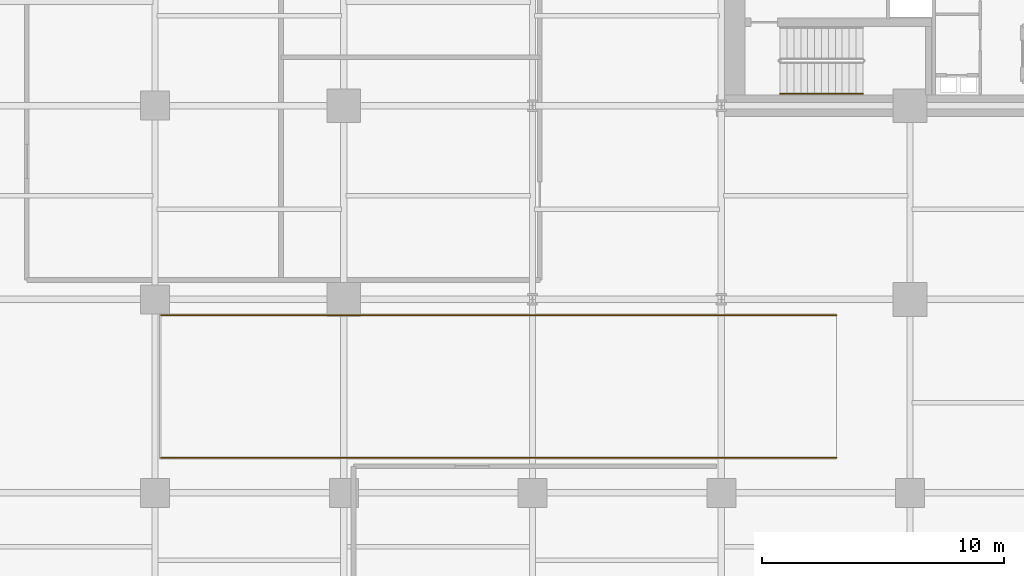
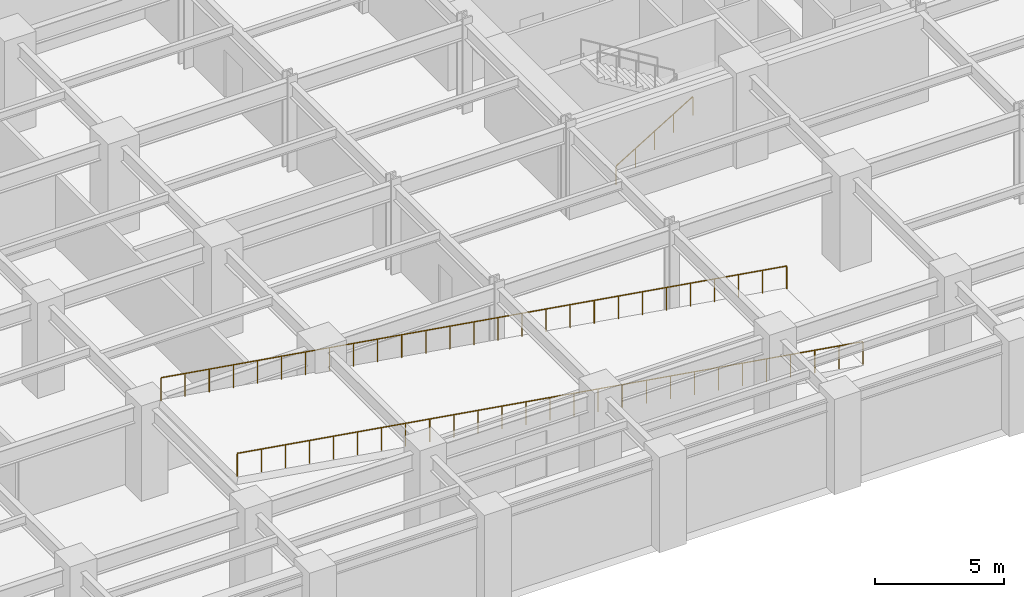
# One storey, part 8 of 10: 3 railings.
"""IFC4 building model written with IfcOpenShell, lengths in metres."""

import ifcopenshell
import ifcopenshell.guid

model = None  # the IFC model being written
_history = None  # IfcOwnerHistory: only IFC2X3 demands one
_inside = {}  # id of a spatial element -> (the spatial element, [elements in it])
_under = {}  # id of a project, library or spatial element -> (it, [spatial elements below it])
_declared = {}  # id of a project -> (the project, [libraries it declares])
_typed = {}  # id of a type object -> (the type object, [elements of that type])
_made_of = {}  # id of a material, layer set ... -> (it, [elements and type objects made of it])


def new_model(schema):
    """Start an empty IFC model of exactly this schema.

    Asked for "IFC4X3", IfcOpenShell would pick the latest addendum, in which some entities
    have other attributes; the version numbers below select the first issue.
    IFC2X3 requires an IfcOwnerHistory on every rooted entity: one is made here for all.
    """
    global model, _history
    if schema == "IFC4X3":
        model = ifcopenshell.file(schema_version=(4, 3, 0, 0))
    else:
        model = ifcopenshell.file(schema=schema)
    _inside.clear()
    _under.clear()
    _declared.clear()
    _typed.clear()
    _made_of.clear()
    _history = None
    if model.schema == "IFC2X3":
        org = make("IfcOrganization", Name="unknown")
        user = make(
            "IfcPersonAndOrganization",
            ThePerson=make("IfcPerson", FamilyName="unknown"),
            TheOrganization=org,
        )
        app = make(
            "IfcApplication",
            ApplicationDeveloper=org,
            Version="unknown",
            ApplicationFullName="unknown",
            ApplicationIdentifier="unknown",
        )
        _history = make(
            "IfcOwnerHistory",
            OwningUser=user,
            OwningApplication=app,
            ChangeAction="ADDED",
            CreationDate=0,
        )
    return model


def make(cls, **values):
    """One entity of the class cls with the attributes given. An attribute that is None is left unset."""
    return model.create_entity(
        cls, **{name: value for name, value in values.items() if value is not None}
    )


def rooted(cls, **values):
    """An entity with a GlobalId (a new one), such as an element, a storey or a relation."""
    return make(cls, GlobalId=ifcopenshell.guid.new(), OwnerHistory=_history, **values)


def si_unit(unit_type, name, prefix=None):
    """IfcSIUnit, for example si_unit("LENGTHUNIT", "METRE", prefix="MILLI")."""
    return make("IfcSIUnit", UnitType=unit_type, Prefix=prefix, Name=name)


def assignment(units):
    """IfcUnitAssignment: the units of a project."""
    return None if units is None else make("IfcUnitAssignment", Units=units)


def point(xyz):
    """IfcCartesianPoint."""
    return None if xyz is None else make("IfcCartesianPoint", Coordinates=xyz)


def direction(xyz):
    """IfcDirection."""
    return None if xyz is None else make("IfcDirection", DirectionRatios=xyz)


def frame(location, z_axis=None, x_axis=None):
    """IfcAxis2Placement3D, a coordinate frame: its origin and axes. An axis left out is left unset."""
    return make(
        "IfcAxis2Placement3D",
        Location=point(location),
        Axis=direction(z_axis),
        RefDirection=direction(x_axis),
    )


def frame_2d(location, x_axis=None):
    """IfcAxis2Placement2D, a coordinate frame in the plane: its origin and x axis."""
    return make(
        "IfcAxis2Placement2D", Location=point(location), RefDirection=direction(x_axis)
    )


def origin():
    """The frame at (0, 0, 0) with its axes left unset."""
    return frame((0.0, 0.0, 0.0))


def origin_2d():
    """The frame at (0, 0) in the plane with its x axis left unset."""
    return frame_2d((0.0, 0.0))


def place(relative_to, where):
    """IfcLocalPlacement: puts the frame where relative to a parent placement (None: the world)."""
    return make(
        "IfcLocalPlacement", PlacementRelTo=relative_to, RelativePlacement=where
    )


def context(
    kind, dimensions, precision=None, world=None, true_north=None, identifier=None
):
    """IfcGeometricRepresentationContext, for example the 3D "Model" context."""
    return make(
        "IfcGeometricRepresentationContext",
        ContextIdentifier=identifier,
        ContextType=kind,
        CoordinateSpaceDimension=dimensions,
        Precision=precision,
        WorldCoordinateSystem=world,
        TrueNorth=true_north,
    )


def subcontext(parent, identifier, kind, view, scale=None):
    """IfcGeometricRepresentationSubContext, for example "Body" below "Model"."""
    return make(
        "IfcGeometricRepresentationSubContext",
        ContextIdentifier=identifier,
        ContextType=kind,
        ParentContext=parent,
        TargetScale=scale,
        TargetView=view,
    )


def project(units=None, contexts=None):
    """IfcProject with its units and contexts."""
    return rooted(
        "IfcProject",
        Name="project",
        RepresentationContexts=contexts,
        UnitsInContext=assignment(units),
    )


def spatial(cls, under=None, at=None, **own):
    """A site, building, storey or space (cls), placed at a placement, below another one or the project."""
    s = rooted(cls, ObjectPlacement=at, **own)
    if under is not None:
        _under.setdefault(under.id(), (under, []))[1].append(s)
    return s


def profile(cls, at=None, kind="AREA", **sizes):
    """A parametric profile (cls). Its sizes go by their IFC names, for example OverallWidth=200.0."""
    return make(cls, ProfileType=kind, Position=at, **sizes)


def circle(**sizes):
    """IfcCircleProfileDef."""
    return profile("IfcCircleProfileDef", **sizes)


def extrude(swept, where, along, depth):
    """IfcExtrudedAreaSolid: the profile swept, set in the frame where, extruded along a direction by depth."""
    return make(
        "IfcExtrudedAreaSolid",
        SweptArea=swept,
        Position=where,
        ExtrudedDirection=direction(along),
        Depth=depth,
    )


def shape(context_of_items, identifier, shape_type, items):
    """IfcShapeRepresentation: the items that make up one representation, for example the "Body"."""
    return make(
        "IfcShapeRepresentation",
        ContextOfItems=context_of_items,
        RepresentationIdentifier=identifier,
        RepresentationType=shape_type,
        Items=items,
    )


def material(Name=None, Category=None):
    """IfcMaterial."""
    return make("IfcMaterial", Name=Name, Category=Category)


def made_of(thing, what):
    """Note that an element or type object is made of a material, layer set ...; save() writes the relation."""
    if what is not None:
        _made_of.setdefault(what.id(), (what, []))[1].append(thing)
    return thing


def type_object(cls, material=None, **own):
    """A type object (cls), such as IfcWallType, which elements share."""
    return made_of(rooted(cls, **own), material)


def element(
    cls,
    number,
    at=None,
    inside=None,
    cuts=None,
    type_object=None,
    material=None,
    context=None,
    identifier="Body",
    shape_type=None,
    held_by="IfcProductDefinitionShape",
    body=None,
    shapes=None,
    **own,
):
    """One element of the class cls, such as IfcWall. Its Tag is "e" and its number.

    at: its placement. inside: the storey or other place that contains it. cuts: it is an
    opening in that element (IfcRelVoidsElement). A single representation is given by context,
    identifier, shape_type and body (its items); several are given by shapes. held_by: the class
    of the entity that holds the representations. save() writes the other relations.
    """
    e = rooted(cls, Tag="e%d" % number, ObjectPlacement=at, **own)
    if body is not None:
        shapes = [shape(context, identifier, shape_type, body)]
    if shapes is not None:
        e.Representation = make(held_by, Representations=shapes)
    if inside is not None:
        _inside.setdefault(inside.id(), (inside, []))[1].append(e)
    if cuts is not None:
        rooted(
            "IfcRelVoidsElement", RelatingBuildingElement=cuts, RelatedOpeningElement=e
        )
    if type_object is not None:
        _typed.setdefault(type_object.id(), (type_object, []))[1].append(e)
    return made_of(e, material)


def aggregate(whole, parts):
    """IfcRelAggregates: a whole, such as a stair, and the parts it consists of."""
    return rooted("IfcRelAggregates", RelatingObject=whole, RelatedObjects=parts)


def save(model, path):
    """Write the relations noted so far, then the file.

    IfcRelAggregates (storeys below a building ...), IfcRelContainedInSpatialStructure (elements
    in a storey), IfcRelDefinesByType, IfcRelAssociatesMaterial and IfcRelDeclares: one each for
    every whole, place, type object, material and project.
    """
    for whole, parts in _under.values():
        aggregate(whole, parts)
    for where, things in _inside.values():
        rooted(
            "IfcRelContainedInSpatialStructure",
            RelatedElements=things,
            RelatingStructure=where,
        )
    for kind, things in _typed.values():
        rooted("IfcRelDefinesByType", RelatedObjects=things, RelatingType=kind)
    for what, things in _made_of.values():
        rooted("IfcRelAssociatesMaterial", RelatedObjects=things, RelatingMaterial=what)
    for by, libraries in _declared.values():
        rooted("IfcRelDeclares", RelatingContext=by, RelatedDefinitions=libraries)
    model.write(path)


model = new_model("IFC4")

# Units and contexts
model_context = context("Model", 3, precision=1e-05, world=origin(), true_north=direction((0.0, 1.0)))
body_context = subcontext(model_context, "Body", "Model", "MODEL_VIEW")
ifc_project = project(units=[si_unit("LENGTHUNIT", "METRE"), si_unit("AREAUNIT", "SQUARE_METRE"), si_unit("VOLUMEUNIT", "CUBIC_METRE"), si_unit("PLANEANGLEUNIT", "RADIAN"), si_unit("MASSUNIT", "GRAM", prefix="KILO")], contexts=[model_context])

# Site, building, storey
site_placement = place(None, origin())
site = spatial("IfcSite", under=ifc_project, at=site_placement, CompositionType="ELEMENT")
building_placement = place(site_placement, origin())
building = spatial("IfcBuilding", under=site, at=building_placement, Name="Veymaron Broadcast Tower", CompositionType="ELEMENT")
storey_placement = place(building_placement, frame((0.0, 0.0, -4.5)))
storey = spatial("IfcBuildingStorey", under=building, at=storey_placement, Name="B1", CompositionType="ELEMENT", Elevation=-4.5)

# Railings
ifc_material_1 = material(Name="Brushed stainless steel AISI 304", Category="steel")
railing_type_1 = type_object("IfcRailingType", Name="RAIL-STAIR-HR", PredefinedType="HANDRAIL", material=ifc_material_1)
railing_1_placement = place(storey_placement, frame((41.429931640625, 16.5, 0.173095703125)))
element("IfcRailing", 1, at=railing_1_placement, inside=storey, type_object=railing_type_1, Name="B1 ST2 stair handrail 1", PredefinedType="HANDRAIL", context=body_context, shape_type="SweptSolid", body=[
    extrude(circle(Radius=0.02392578125, at=origin_2d()), frame((0.0, 0.0, 0.8759765625), z_axis=(0.854745945586, 0.0, 0.519046595696), x_axis=(0.0, 1.0, 0.0)), (0.0, 0.0, 1.0), 4.00146484375),
    extrude(circle(Radius=0.02099609375, at=origin_2d()), origin(), (0.0, 0.0, 1.0), 0.851806640625),
    extrude(circle(Radius=0.02099609375, at=origin_2d()), frame((0.85498046875, 0.0, 0.519287109375)), (0.0, 0.0, 1.0), 0.851806640625),
    extrude(circle(Radius=0.02099609375, at=origin_2d()), frame((1.7099609375, 0.0, 1.03857421875)), (0.0, 0.0, 1.0), 0.851806640625),
    extrude(circle(Radius=0.02099609375, at=origin_2d()), frame((2.565185546875, 0.0, 1.5576171875)), (0.0, 0.0, 1.0), 0.851806640625),
    extrude(circle(Radius=0.02099609375, at=origin_2d()), frame((3.420166015625, 0.0, 2.076904296875)), (0.0, 0.0, 1.0), 0.851806640625),
])
ifc_material_2 = material(Name="Painted galvanized steel balustrade", Category="steel")
railing_type_2 = type_object("IfcRailingType", Name="RAIL-WELL-GRD", PredefinedType="GUARDRAIL", material=ifc_material_2)
railing_2_placement = place(storey_placement, frame((43.75, 1.4599609375, 0.0)))
element("IfcRailing", 2, at=railing_2_placement, inside=storey, type_object=railing_type_2, Name="B1 sloped vehicle ramp RMP2 S guardrail", PredefinedType="GUARDRAIL", context=body_context, shape_type="SweptSolid", body=[
    extrude(circle(Radius=0.02392578125, at=origin_2d()), frame((0.0, 0.0, 1.076171875), z_axis=(-0.987241033096, 0.0, 0.159232982044), x_axis=(0.0, -1.0, 0.0)), (0.0, 0.0, 1.0), 28.260498046875),
    extrude(circle(Radius=0.02099609375, at=origin_2d()), origin(), (0.0, 0.0, 1.0), 1.052001953125),
    extrude(circle(Radius=0.02099609375, at=origin_2d()), frame((-1.072998046875, 0.0, 0.173095703125)), (0.0, 0.0, 1.0), 1.052001953125),
    extrude(circle(Radius=0.02099609375, at=origin_2d()), frame((-2.146240234375, 0.0, 0.34619140625)), (0.0, 0.0, 1.0), 1.052001953125),
    extrude(circle(Radius=0.02099609375, at=origin_2d()), frame((-3.21923828125, 0.0, 0.519287109375)), (0.0, 0.0, 1.0), 1.052001953125),
    extrude(circle(Radius=0.02099609375, at=origin_2d()), frame((-4.292236328125, 0.0, 0.6923828125)), (0.0, 0.0, 1.0), 1.052001953125),
    extrude(circle(Radius=0.02099609375, at=origin_2d()), frame((-5.365478515625, 0.0, 0.865478515625)), (0.0, 0.0, 1.0), 1.052001953125),
    extrude(circle(Radius=0.02099609375, at=origin_2d()), frame((-6.4384765625, 0.0, 1.03857421875)), (0.0, 0.0, 1.0), 1.052001953125),
    extrude(circle(Radius=0.02099609375, at=origin_2d()), frame((-7.511474609375, 0.0, 1.21142578125)), (0.0, 0.0, 1.0), 1.052001953125),
    extrude(circle(Radius=0.02099609375, at=origin_2d()), frame((-8.58447265625, 0.0, 1.384521484375)), (0.0, 0.0, 1.0), 1.052001953125),
    extrude(circle(Radius=0.02099609375, at=origin_2d()), frame((-9.65771484375, 0.0, 1.5576171875)), (0.0, 0.0, 1.0), 1.052001953125),
    extrude(circle(Radius=0.02099609375, at=origin_2d()), frame((-10.730712890625, 0.0, 1.730712890625)), (0.0, 0.0, 1.0), 1.052001953125),
    extrude(circle(Radius=0.02099609375, at=origin_2d()), frame((-11.8037109375, 0.0, 1.90380859375)), (0.0, 0.0, 1.0), 1.052001953125),
    extrude(circle(Radius=0.02099609375, at=origin_2d()), frame((-12.876953125, 0.0, 2.076904296875)), (0.0, 0.0, 1.0), 1.052001953125),
    extrude(circle(Radius=0.02099609375, at=origin_2d()), frame((-13.949951171875, 0.0, 2.25)), (0.0, 0.0, 1.0), 1.052001953125),
    extrude(circle(Radius=0.02099609375, at=origin_2d()), frame((-15.02294921875, 0.0, 2.423095703125)), (0.0, 0.0, 1.0), 1.052001953125),
    extrude(circle(Radius=0.02099609375, at=origin_2d()), frame((-16.09619140625, 0.0, 2.59619140625)), (0.0, 0.0, 1.0), 1.052001953125),
    extrude(circle(Radius=0.02099609375, at=origin_2d()), frame((-17.169189453125, 0.0, 2.769287109375)), (0.0, 0.0, 1.0), 1.052001953125),
    extrude(circle(Radius=0.02099609375, at=origin_2d()), frame((-18.2421875, 0.0, 2.9423828125)), (0.0, 0.0, 1.0), 1.052001953125),
    extrude(circle(Radius=0.02099609375, at=origin_2d()), frame((-19.3154296875, 0.0, 3.115478515625)), (0.0, 0.0, 1.0), 1.052001953125),
    extrude(circle(Radius=0.02099609375, at=origin_2d()), frame((-20.388427734375, 0.0, 3.28857421875)), (0.0, 0.0, 1.0), 1.052001953125),
    extrude(circle(Radius=0.02099609375, at=origin_2d()), frame((-21.46142578125, 0.0, 3.46142578125)), (0.0, 0.0, 1.0), 1.052001953125),
    extrude(circle(Radius=0.02099609375, at=origin_2d()), frame((-22.534423828125, 0.0, 3.634521484375)), (0.0, 0.0, 1.0), 1.052001953125),
    extrude(circle(Radius=0.02099609375, at=origin_2d()), frame((-23.607666015625, 0.0, 3.8076171875)), (0.0, 0.0, 1.0), 1.052001953125),
    extrude(circle(Radius=0.02099609375, at=origin_2d()), frame((-24.6806640625, 0.0, 3.980712890625)), (0.0, 0.0, 1.0), 1.052001953125),
    extrude(circle(Radius=0.02099609375, at=origin_2d()), frame((-25.753662109375, 0.0, 4.15380859375)), (0.0, 0.0, 1.0), 1.052001953125),
    extrude(circle(Radius=0.02099609375, at=origin_2d()), frame((-26.826904296875, 0.0, 4.326904296875)), (0.0, 0.0, 1.0), 1.052001953125),
    extrude(circle(Radius=0.02099609375, at=origin_2d()), frame((-27.89990234375, 0.0, 4.5)), (0.0, 0.0, 1.0), 1.052001953125),
])
railing_3_placement = place(storey_placement, frame((43.75, 7.340087890625, 0.0)))
element("IfcRailing", 3, at=railing_3_placement, inside=storey, type_object=railing_type_2, Name="B1 sloped vehicle ramp RMP2 N guardrail", PredefinedType="GUARDRAIL", context=body_context, shape_type="SweptSolid", body=[
    extrude(circle(Radius=0.02392578125, at=origin_2d()), frame((0.0, 0.0, 1.076171875), z_axis=(-0.987241033096, 0.0, 0.159232982044), x_axis=(0.0, -1.0, 0.0)), (0.0, 0.0, 1.0), 28.260498046875),
    extrude(circle(Radius=0.02099609375, at=origin_2d()), origin(), (0.0, 0.0, 1.0), 1.052001953125),
    extrude(circle(Radius=0.02099609375, at=origin_2d()), frame((-1.072998046875, 0.0, 0.173095703125)), (0.0, 0.0, 1.0), 1.052001953125),
    extrude(circle(Radius=0.02099609375, at=origin_2d()), frame((-2.146240234375, 0.0, 0.34619140625)), (0.0, 0.0, 1.0), 1.052001953125),
    extrude(circle(Radius=0.02099609375, at=origin_2d()), frame((-3.21923828125, 0.0, 0.519287109375)), (0.0, 0.0, 1.0), 1.052001953125),
    extrude(circle(Radius=0.02099609375, at=origin_2d()), frame((-4.292236328125, 0.0, 0.6923828125)), (0.0, 0.0, 1.0), 1.052001953125),
    extrude(circle(Radius=0.02099609375, at=origin_2d()), frame((-5.365478515625, 0.0, 0.865478515625)), (0.0, 0.0, 1.0), 1.052001953125),
    extrude(circle(Radius=0.02099609375, at=origin_2d()), frame((-6.4384765625, 0.0, 1.03857421875)), (0.0, 0.0, 1.0), 1.052001953125),
    extrude(circle(Radius=0.02099609375, at=origin_2d()), frame((-7.511474609375, 0.0, 1.21142578125)), (0.0, 0.0, 1.0), 1.052001953125),
    extrude(circle(Radius=0.02099609375, at=origin_2d()), frame((-8.58447265625, 0.0, 1.384521484375)), (0.0, 0.0, 1.0), 1.052001953125),
    extrude(circle(Radius=0.02099609375, at=origin_2d()), frame((-9.65771484375, 0.0, 1.5576171875)), (0.0, 0.0, 1.0), 1.052001953125),
    extrude(circle(Radius=0.02099609375, at=origin_2d()), frame((-10.730712890625, 0.0, 1.730712890625)), (0.0, 0.0, 1.0), 1.052001953125),
    extrude(circle(Radius=0.02099609375, at=origin_2d()), frame((-11.8037109375, 0.0, 1.90380859375)), (0.0, 0.0, 1.0), 1.052001953125),
    extrude(circle(Radius=0.02099609375, at=origin_2d()), frame((-12.876953125, 0.0, 2.076904296875)), (0.0, 0.0, 1.0), 1.052001953125),
    extrude(circle(Radius=0.02099609375, at=origin_2d()), frame((-13.949951171875, 0.0, 2.25)), (0.0, 0.0, 1.0), 1.052001953125),
    extrude(circle(Radius=0.02099609375, at=origin_2d()), frame((-15.02294921875, 0.0, 2.423095703125)), (0.0, 0.0, 1.0), 1.052001953125),
    extrude(circle(Radius=0.02099609375, at=origin_2d()), frame((-16.09619140625, 0.0, 2.59619140625)), (0.0, 0.0, 1.0), 1.052001953125),
    extrude(circle(Radius=0.02099609375, at=origin_2d()), frame((-17.169189453125, 0.0, 2.769287109375)), (0.0, 0.0, 1.0), 1.052001953125),
    extrude(circle(Radius=0.02099609375, at=origin_2d()), frame((-18.2421875, 0.0, 2.9423828125)), (0.0, 0.0, 1.0), 1.052001953125),
    extrude(circle(Radius=0.02099609375, at=origin_2d()), frame((-19.3154296875, 0.0, 3.115478515625)), (0.0, 0.0, 1.0), 1.052001953125),
    extrude(circle(Radius=0.02099609375, at=origin_2d()), frame((-20.388427734375, 0.0, 3.28857421875)), (0.0, 0.0, 1.0), 1.052001953125),
    extrude(circle(Radius=0.02099609375, at=origin_2d()), frame((-21.46142578125, 0.0, 3.46142578125)), (0.0, 0.0, 1.0), 1.052001953125),
    extrude(circle(Radius=0.02099609375, at=origin_2d()), frame((-22.534423828125, 0.0, 3.634521484375)), (0.0, 0.0, 1.0), 1.052001953125),
    extrude(circle(Radius=0.02099609375, at=origin_2d()), frame((-23.607666015625, 0.0, 3.8076171875)), (0.0, 0.0, 1.0), 1.052001953125),
    extrude(circle(Radius=0.02099609375, at=origin_2d()), frame((-24.6806640625, 0.0, 3.980712890625)), (0.0, 0.0, 1.0), 1.052001953125),
    extrude(circle(Radius=0.02099609375, at=origin_2d()), frame((-25.753662109375, 0.0, 4.15380859375)), (0.0, 0.0, 1.0), 1.052001953125),
    extrude(circle(Radius=0.02099609375, at=origin_2d()), frame((-26.826904296875, 0.0, 4.326904296875)), (0.0, 0.0, 1.0), 1.052001953125),
    extrude(circle(Radius=0.02099609375, at=origin_2d()), frame((-27.89990234375, 0.0, 4.5)), (0.0, 0.0, 1.0), 1.052001953125),
])

save(model, "model.ifc")
